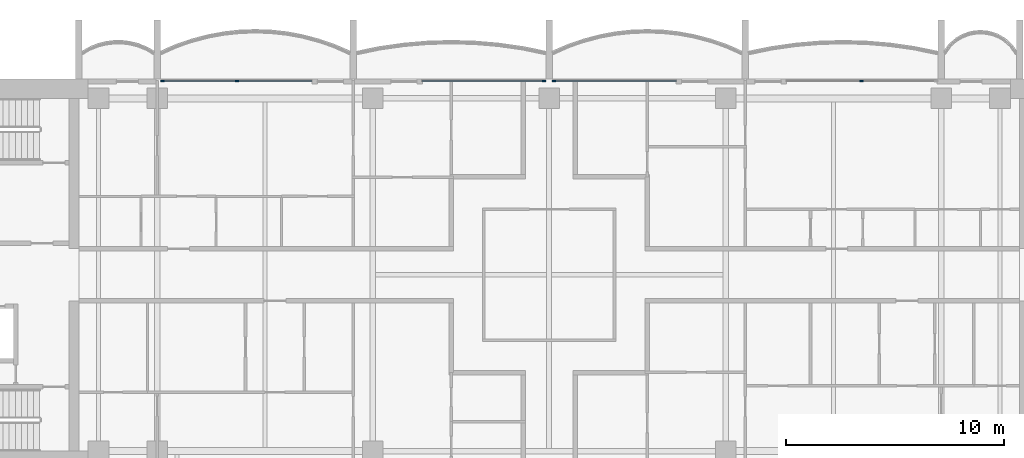
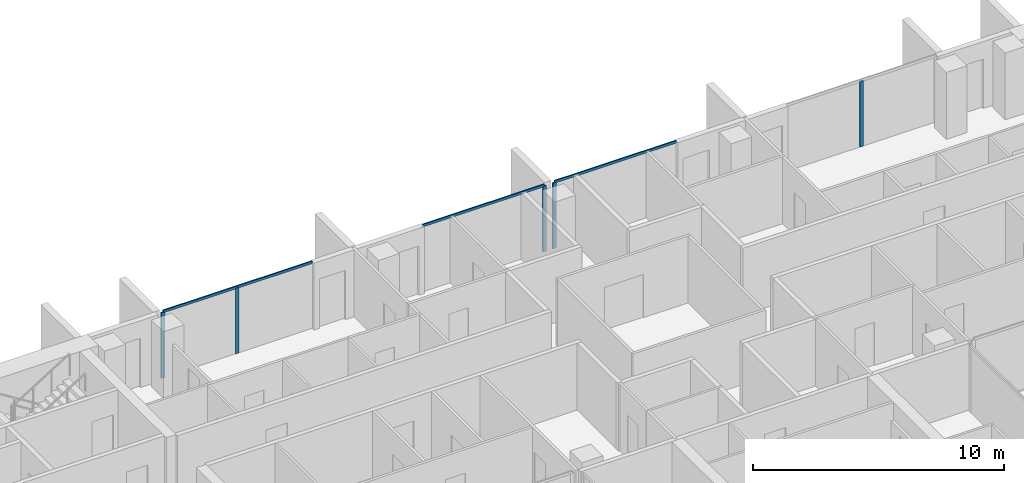
# One storey, part 5 of 17: 8 members, 4 elements without a shape of their own.
"""IFC4 building model written with IfcOpenShell, lengths in metres."""

import ifcopenshell
import ifcopenshell.guid

model = None  # the IFC model being written
_history = None  # IfcOwnerHistory: only IFC2X3 demands one
_inside = {}  # id of a spatial element -> (the spatial element, [elements in it])
_under = {}  # id of a project, library or spatial element -> (it, [spatial elements below it])
_declared = {}  # id of a project -> (the project, [libraries it declares])
_typed = {}  # id of a type object -> (the type object, [elements of that type])
_made_of = {}  # id of a material, layer set ... -> (it, [elements and type objects made of it])


def new_model(schema):
    """Start an empty IFC model of exactly this schema.

    Asked for "IFC4X3", IfcOpenShell would pick the latest addendum, in which some entities
    have other attributes; the version numbers below select the first issue.
    IFC2X3 requires an IfcOwnerHistory on every rooted entity: one is made here for all.
    """
    global model, _history
    if schema == "IFC4X3":
        model = ifcopenshell.file(schema_version=(4, 3, 0, 0))
    else:
        model = ifcopenshell.file(schema=schema)
    _inside.clear()
    _under.clear()
    _declared.clear()
    _typed.clear()
    _made_of.clear()
    _history = None
    if model.schema == "IFC2X3":
        org = make("IfcOrganization", Name="unknown")
        user = make(
            "IfcPersonAndOrganization",
            ThePerson=make("IfcPerson", FamilyName="unknown"),
            TheOrganization=org,
        )
        app = make(
            "IfcApplication",
            ApplicationDeveloper=org,
            Version="unknown",
            ApplicationFullName="unknown",
            ApplicationIdentifier="unknown",
        )
        _history = make(
            "IfcOwnerHistory",
            OwningUser=user,
            OwningApplication=app,
            ChangeAction="ADDED",
            CreationDate=0,
        )
    return model


def make(cls, **values):
    """One entity of the class cls with the attributes given. An attribute that is None is left unset."""
    return model.create_entity(
        cls, **{name: value for name, value in values.items() if value is not None}
    )


def rooted(cls, **values):
    """An entity with a GlobalId (a new one), such as an element, a storey or a relation."""
    return make(cls, GlobalId=ifcopenshell.guid.new(), OwnerHistory=_history, **values)


def si_unit(unit_type, name, prefix=None):
    """IfcSIUnit, for example si_unit("LENGTHUNIT", "METRE", prefix="MILLI")."""
    return make("IfcSIUnit", UnitType=unit_type, Prefix=prefix, Name=name)


def assignment(units):
    """IfcUnitAssignment: the units of a project."""
    return None if units is None else make("IfcUnitAssignment", Units=units)


def point(xyz):
    """IfcCartesianPoint."""
    return None if xyz is None else make("IfcCartesianPoint", Coordinates=xyz)


def direction(xyz):
    """IfcDirection."""
    return None if xyz is None else make("IfcDirection", DirectionRatios=xyz)


def frame(location, z_axis=None, x_axis=None):
    """IfcAxis2Placement3D, a coordinate frame: its origin and axes. An axis left out is left unset."""
    return make(
        "IfcAxis2Placement3D",
        Location=point(location),
        Axis=direction(z_axis),
        RefDirection=direction(x_axis),
    )


def frame_2d(location, x_axis=None):
    """IfcAxis2Placement2D, a coordinate frame in the plane: its origin and x axis."""
    return make(
        "IfcAxis2Placement2D", Location=point(location), RefDirection=direction(x_axis)
    )


def origin():
    """The frame at (0, 0, 0) with its axes left unset."""
    return frame((0.0, 0.0, 0.0))


def origin_2d():
    """The frame at (0, 0) in the plane with its x axis left unset."""
    return frame_2d((0.0, 0.0))


def place(relative_to, where):
    """IfcLocalPlacement: puts the frame where relative to a parent placement (None: the world)."""
    return make(
        "IfcLocalPlacement", PlacementRelTo=relative_to, RelativePlacement=where
    )


def context(
    kind, dimensions, precision=None, world=None, true_north=None, identifier=None
):
    """IfcGeometricRepresentationContext, for example the 3D "Model" context."""
    return make(
        "IfcGeometricRepresentationContext",
        ContextIdentifier=identifier,
        ContextType=kind,
        CoordinateSpaceDimension=dimensions,
        Precision=precision,
        WorldCoordinateSystem=world,
        TrueNorth=true_north,
    )


def subcontext(parent, identifier, kind, view, scale=None):
    """IfcGeometricRepresentationSubContext, for example "Body" below "Model"."""
    return make(
        "IfcGeometricRepresentationSubContext",
        ContextIdentifier=identifier,
        ContextType=kind,
        ParentContext=parent,
        TargetScale=scale,
        TargetView=view,
    )


def project(units=None, contexts=None):
    """IfcProject with its units and contexts."""
    return rooted(
        "IfcProject",
        Name="project",
        RepresentationContexts=contexts,
        UnitsInContext=assignment(units),
    )


def spatial(cls, under=None, at=None, **own):
    """A site, building, storey or space (cls), placed at a placement, below another one or the project."""
    s = rooted(cls, ObjectPlacement=at, **own)
    if under is not None:
        _under.setdefault(under.id(), (under, []))[1].append(s)
    return s


def profile(cls, at=None, kind="AREA", **sizes):
    """A parametric profile (cls). Its sizes go by their IFC names, for example OverallWidth=200.0."""
    return make(cls, ProfileType=kind, Position=at, **sizes)


def rectangle(**sizes):
    """IfcRectangleProfileDef."""
    return profile("IfcRectangleProfileDef", **sizes)


def extrude(swept, where, along, depth):
    """IfcExtrudedAreaSolid: the profile swept, set in the frame where, extruded along a direction by depth."""
    return make(
        "IfcExtrudedAreaSolid",
        SweptArea=swept,
        Position=where,
        ExtrudedDirection=direction(along),
        Depth=depth,
    )


def shape(context_of_items, identifier, shape_type, items):
    """IfcShapeRepresentation: the items that make up one representation, for example the "Body"."""
    return make(
        "IfcShapeRepresentation",
        ContextOfItems=context_of_items,
        RepresentationIdentifier=identifier,
        RepresentationType=shape_type,
        Items=items,
    )


def material(Name=None, Category=None):
    """IfcMaterial."""
    return make("IfcMaterial", Name=Name, Category=Category)


def material_profile(
    of_material, cross_section, Name=None, Category=None, Priority=None
):
    """IfcMaterialProfile: a cross section and its material."""
    return make(
        "IfcMaterialProfile",
        Name=Name,
        Material=of_material,
        Profile=cross_section,
        Priority=Priority,
        Category=Category,
    )


def profile_set(profiles, Name=None, composite=None):
    """IfcMaterialProfileSet."""
    return make(
        "IfcMaterialProfileSet",
        Name=Name,
        MaterialProfiles=profiles,
        CompositeProfile=composite,
    )


def made_of(thing, what):
    """Note that an element or type object is made of a material, layer set ...; save() writes the relation."""
    if what is not None:
        _made_of.setdefault(what.id(), (what, []))[1].append(thing)
    return thing


def type_object(cls, material=None, **own):
    """A type object (cls), such as IfcWallType, which elements share."""
    return made_of(rooted(cls, **own), material)


def element(
    cls,
    number,
    at=None,
    inside=None,
    cuts=None,
    type_object=None,
    material=None,
    context=None,
    identifier="Body",
    shape_type=None,
    held_by="IfcProductDefinitionShape",
    body=None,
    shapes=None,
    **own,
):
    """One element of the class cls, such as IfcWall. Its Tag is "e" and its number.

    at: its placement. inside: the storey or other place that contains it. cuts: it is an
    opening in that element (IfcRelVoidsElement). A single representation is given by context,
    identifier, shape_type and body (its items); several are given by shapes. held_by: the class
    of the entity that holds the representations. save() writes the other relations.
    """
    e = rooted(cls, Tag="e%d" % number, ObjectPlacement=at, **own)
    if body is not None:
        shapes = [shape(context, identifier, shape_type, body)]
    if shapes is not None:
        e.Representation = make(held_by, Representations=shapes)
    if inside is not None:
        _inside.setdefault(inside.id(), (inside, []))[1].append(e)
    if cuts is not None:
        rooted(
            "IfcRelVoidsElement", RelatingBuildingElement=cuts, RelatedOpeningElement=e
        )
    if type_object is not None:
        _typed.setdefault(type_object.id(), (type_object, []))[1].append(e)
    return made_of(e, material)


def aggregate(whole, parts):
    """IfcRelAggregates: a whole, such as a stair, and the parts it consists of."""
    return rooted("IfcRelAggregates", RelatingObject=whole, RelatedObjects=parts)


def save(model, path):
    """Write the relations noted so far, then the file.

    IfcRelAggregates (storeys below a building ...), IfcRelContainedInSpatialStructure (elements
    in a storey), IfcRelDefinesByType, IfcRelAssociatesMaterial and IfcRelDeclares: one each for
    every whole, place, type object, material and project.
    """
    for whole, parts in _under.values():
        aggregate(whole, parts)
    for where, things in _inside.values():
        rooted(
            "IfcRelContainedInSpatialStructure",
            RelatedElements=things,
            RelatingStructure=where,
        )
    for kind, things in _typed.values():
        rooted("IfcRelDefinesByType", RelatedObjects=things, RelatingType=kind)
    for what, things in _made_of.values():
        rooted("IfcRelAssociatesMaterial", RelatedObjects=things, RelatingMaterial=what)
    for by, libraries in _declared.values():
        rooted("IfcRelDeclares", RelatingContext=by, RelatedDefinitions=libraries)
    model.write(path)


model = new_model("IFC4")

# Units and contexts
model_context = context("Model", 3, precision=1e-05, world=origin(), true_north=direction((0.0, 1.0)))
body_context = subcontext(model_context, "Body", "Model", "MODEL_VIEW")
ifc_project = project(units=[si_unit("LENGTHUNIT", "METRE"), si_unit("AREAUNIT", "SQUARE_METRE"), si_unit("VOLUMEUNIT", "CUBIC_METRE"), si_unit("PLANEANGLEUNIT", "RADIAN"), si_unit("MASSUNIT", "GRAM", prefix="KILO")], contexts=[model_context])

# Site, building, storey
site_placement = place(None, origin())
site = spatial("IfcSite", under=ifc_project, at=site_placement, CompositionType="ELEMENT")
building_placement = place(site_placement, origin())
building = spatial("IfcBuilding", under=site, at=building_placement, Name="Perihelion Cross Residences", CompositionType="ELEMENT")
storey_placement = place(building_placement, frame((0.0, 0.0, 212.10009765625)))
storey = spatial("IfcBuildingStorey", under=building, at=storey_placement, Name="L53", CompositionType="ELEMENT", Elevation=212.10009765625)

# Curtain wall, member
ifc_material_1 = material(Name="Bronze anodised aluminium, tinted glazing", Category="aluminium")
curtain_wall_type = type_object("IfcCurtainWallType", Name="CW1", PredefinedType="NOTDEFINED", material=ifc_material_1)
curtain_wall_1_placement = place(storey_placement, origin())
curtain_wall_1 = element("IfcCurtainWall", 1, at=curtain_wall_1_placement, inside=storey, type_object=curtain_wall_type, Name="Curtain wall CW1 L53 east side north bay 2", PredefinedType="NOTDEFINED")
ifc_material_2 = material(Name="Bronze anodised aluminium", Category="aluminium")
ifc_material_profile_1 = material_profile(ifc_material_2, rectangle(XDim=0.06005859375, YDim=0.159912109375, at=origin_2d()), Name="CW1 mullion")
ifc_profile_set_1 = profile_set([ifc_material_profile_1], Name="Bronze anodised aluminium")
member_type_1 = type_object("IfcMemberType", Name="CW1 mullion", PredefinedType="MULLION", material=ifc_profile_set_1)
member_1_placement = place(storey_placement, frame((14.35009765625, 8.89990234375, 0.0), z_axis=(0.0, 0.0, 1.0), x_axis=(0.0, -1.0, 0.0)))
member_1 = element("IfcMember", 2, at=member_1_placement, type_object=member_type_1, Name="CW1 mullion 2", PredefinedType="MULLION", context=body_context, shape_type="SweptSolid", body=[
    extrude(rectangle(XDim=0.06005859375, YDim=0.159912109375, at=origin_2d()), origin(), (0.0, 0.0, 1.0), 3.18994140625),
])
aggregate(curtain_wall_1, [member_1])

curtain_wall_2_placement = place(storey_placement, origin())
curtain_wall_2 = element("IfcCurtainWall", 3, at=curtain_wall_2_placement, inside=storey, type_object=curtain_wall_type, Name="Curtain wall CW1 L53 north side east bay 1", PredefinedType="NOTDEFINED")
member_2_placement = place(storey_placement, frame((0.22998046875, 8.89990234375, 0.0), z_axis=(0.0, 0.0, 1.0), x_axis=(0.0, -1.0, 0.0)))
member_2 = element("IfcMember", 4, at=member_2_placement, type_object=member_type_1, Name="CW1 mullion 2", PredefinedType="MULLION", context=body_context, shape_type="SweptSolid", body=[
    extrude(rectangle(XDim=0.06005859375, YDim=0.159912109375, at=origin_2d()), origin(), (0.0, 0.0, 1.0), 3.18994140625),
])

curtain_wall_3_placement = place(storey_placement, origin())
curtain_wall_3 = element("IfcCurtainWall", 5, at=curtain_wall_3_placement, inside=storey, type_object=curtain_wall_type, Name="Curtain wall CW1 L53 north side east bay 2", PredefinedType="NOTDEFINED")
member_3_placement = place(storey_placement, frame((-0.22998046875, 8.89990234375, 0.0), z_axis=(0.0, 0.0, 1.0), x_axis=(0.0, -1.0, 0.0)))
member_3 = element("IfcMember", 6, at=member_3_placement, type_object=member_type_1, Name="CW1 mullion 1", PredefinedType="MULLION", context=body_context, shape_type="SweptSolid", body=[
    extrude(rectangle(XDim=0.06005859375, YDim=0.159912109375, at=origin_2d()), origin(), (0.0, 0.0, 1.0), 3.18994140625),
])

# Curtain wall, members
curtain_wall_4_placement = place(storey_placement, origin())
curtain_wall_4 = element("IfcCurtainWall", 7, at=curtain_wall_4_placement, inside=storey, type_object=curtain_wall_type, Name="Curtain wall CW1 L53 west side north bay 1", PredefinedType="NOTDEFINED")
member_4_placement = place(storey_placement, frame((-14.35009765625, 8.89990234375, 0.0), z_axis=(0.0, 0.0, 1.0), x_axis=(0.0, -1.0, 0.0)))
member_4 = element("IfcMember", 8, at=member_4_placement, type_object=member_type_1, Name="CW1 mullion 2", PredefinedType="MULLION", context=body_context, shape_type="SweptSolid", body=[
    extrude(rectangle(XDim=0.06005859375, YDim=0.159912109375, at=origin_2d()), origin(), (0.0, 0.0, 1.0), 3.18994140625),
])
member_5_placement = place(storey_placement, frame((-17.77001953125, 8.89990234375, 0.0), z_axis=(0.0, 0.0, 1.0), x_axis=(0.0, -1.0, 0.0)))
member_5 = element("IfcMember", 9, at=member_5_placement, type_object=member_type_1, Name="CW1 mullion 3", PredefinedType="MULLION", context=body_context, shape_type="SweptSolid", body=[
    extrude(rectangle(XDim=0.06005859375, YDim=0.159912109375, at=origin_2d()), origin(), (0.0, 0.0, 1.0), 3.18994140625),
])

# Member
ifc_material_3 = material(Name="Bronze anodised aluminium", Category="aluminium")
ifc_material_profile_2 = material_profile(ifc_material_3, rectangle(XDim=0.06005859375, YDim=0.1201171875, at=origin_2d()), Name="CW1 transom")
ifc_profile_set_2 = profile_set([ifc_material_profile_2], Name="Bronze anodised aluminium")
member_type_2 = type_object("IfcMemberType", Name="CW1 transom", PredefinedType="USERDEFINED", material=ifc_profile_set_2)
member_6_placement = place(storey_placement, frame((5.824951171875, 8.89990234375, 3.219970703125), z_axis=(-1.0, 0.0, 0.0), x_axis=(0.0, -1.0, 0.0)))
member_6 = element("IfcMember", 10, at=member_6_placement, type_object=member_type_2, Name="CW1 head transom", ObjectType="TRANSOM", PredefinedType="USERDEFINED", context=body_context, shape_type="SweptSolid", body=[
    extrude(rectangle(XDim=0.06005859375, YDim=0.1201171875, at=origin_2d()), origin(), (0.0, 0.0, 1.0), 5.594970703125),
])

aggregate(curtain_wall_2, [member_2, member_6])

member_7_placement = place(storey_placement, frame((-0.22998046875, 8.89990234375, 3.219970703125), z_axis=(-1.0, 0.0, 0.0), x_axis=(0.0, -1.0, 0.0)))
member_7 = element("IfcMember", 11, at=member_7_placement, type_object=member_type_2, Name="CW1 head transom", ObjectType="TRANSOM", PredefinedType="USERDEFINED", context=body_context, shape_type="SweptSolid", body=[
    extrude(rectangle(XDim=0.06005859375, YDim=0.1201171875, at=origin_2d()), origin(), (0.0, 0.0, 1.0), 5.594970703125),
])

aggregate(curtain_wall_3, [member_3, member_7])

member_8_placement = place(storey_placement, frame((-10.89990234375, 8.89990234375, 3.219970703125), z_axis=(-1.0, 0.0, 0.0), x_axis=(0.0, -1.0, 0.0)))
member_8 = element("IfcMember", 12, at=member_8_placement, type_object=member_type_2, Name="CW1 head transom", ObjectType="TRANSOM", PredefinedType="USERDEFINED", context=body_context, shape_type="SweptSolid", body=[
    extrude(rectangle(XDim=0.06005859375, YDim=0.1201171875, at=origin_2d()), origin(), (0.0, 0.0, 1.0), 6.8701171875),
])

aggregate(curtain_wall_4, [member_4, member_5, member_8])

save(model, "model.ifc")
